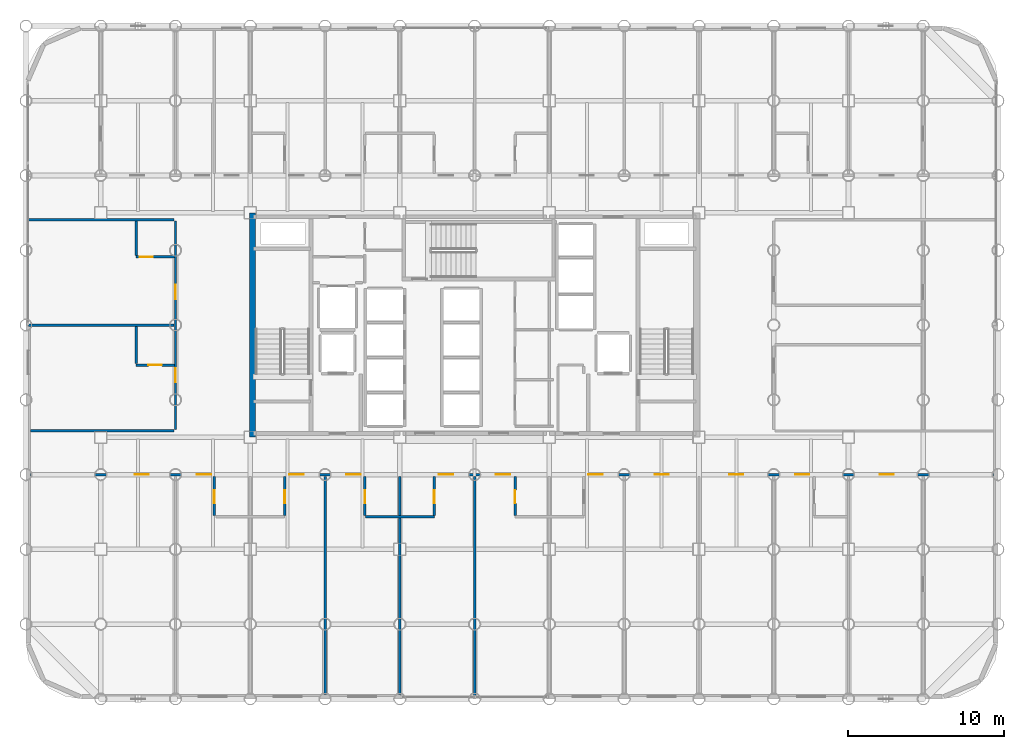
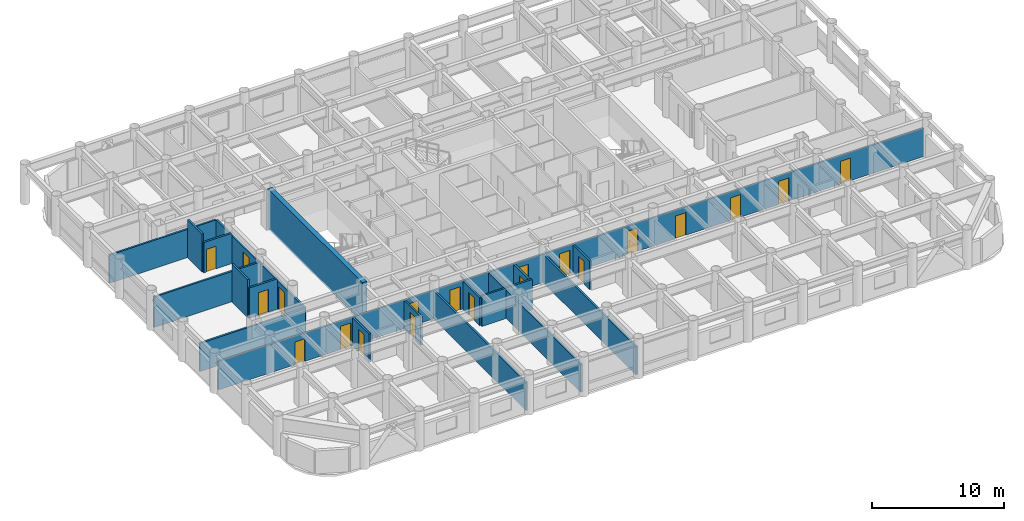
# One storey, part 15 of 21: 20 doors, 19 walls, 20 openings.
"""IFC4 building model written with IfcOpenShell, lengths in metres."""

from ifc_helpers import new_model, si_unit, direction, frame, frame_2d, origin, place, context, subcontext, project, spatial, rectangle, extrude, material, layer, layer_set, type_object, element, fill, save


model = new_model("IFC4")

# Units and contexts
model_context = context("Model", 3, precision=1e-05, world=origin(), true_north=direction((0.0, 1.0)))
body_context = subcontext(model_context, "Body", "Model", "MODEL_VIEW")
ifc_project = project(units=[si_unit("LENGTHUNIT", "METRE"), si_unit("AREAUNIT", "SQUARE_METRE"), si_unit("VOLUMEUNIT", "CUBIC_METRE"), si_unit("PLANEANGLEUNIT", "RADIAN"), si_unit("MASSUNIT", "GRAM", prefix="KILO")], contexts=[model_context])

# Site, building, storey
site_placement = place(None, origin())
site = spatial("IfcSite", under=ifc_project, at=site_placement, CompositionType="ELEMENT")
building_placement = place(site_placement, origin())
building = spatial("IfcBuilding", under=site, at=building_placement, Name="Kallvorn Hotel Tower", CompositionType="ELEMENT")
storey_placement = place(building_placement, frame((0.0, 0.0, 81.800048828125)))
storey = spatial("IfcBuildingStorey", under=building, at=storey_placement, Name="L19", CompositionType="ELEMENT", Elevation=81.800048828125)

# Walls
ifc_material_1 = material(Name="Concrete C50/60", Category="concrete")
ifc_layer_1 = layer(ifc_material_1, 0.39990234375)
ifc_layer_set_1 = layer_set([ifc_layer_1], Name="WL_CORE_400")
wall_type_1 = type_object("IfcWallType", Name="WL_CORE_400", PredefinedType="SHEAR", material=ifc_layer_set_1)
wall_1_placement = place(storey_placement, frame((-14.264892578125, -7.199951171875, -0.179931640625), z_axis=(0.0, 0.0, 1.0), x_axis=(0.0, 1.0, 0.0)))
element("IfcWall", 1, at=wall_1_placement, inside=storey, type_object=wall_type_1, Name="L19 Core West Shear Wall", PredefinedType="SHEAR", context=body_context, shape_type="SweptSolid", body=[
    extrude(rectangle(XDim=14.39990234375, YDim=0.39990234375, at=frame_2d((7.199951171875, 0.0))), origin(), (0.0, 0.0, 1.0), 3.699951171875),
])
ifc_material_2 = material(Name="Fire-rated double-layer acoustic gypsum drywall EI 60")
ifc_layer_2 = layer(ifc_material_2, 0.159912109375)
ifc_layer_set_2 = layer_set([ifc_layer_2], Name="WL_DEMISE_160")
wall_type_2 = type_object("IfcWallType", Name="WL_DEMISE_160", PredefinedType="PARTITIONING", material=ifc_layer_set_2)
wall_2_placement = place(storey_placement, frame((-7.010009765625, -12.320068359375, 0.0), z_axis=(0.0, 0.0, 1.0), x_axis=(1.0, 0.0, 0.0)))
element("IfcWall", 2, at=wall_2_placement, inside=storey, type_object=wall_type_2, Name="L19 Suite 1905 Superior Twin Room Partition", PredefinedType="PARTITIONING", context=body_context, shape_type="SweptSolid", body=[
    extrude(rectangle(XDim=4.419921875, YDim=0.159912109375, at=frame_2d((2.2099609375, 0.0))), origin(), (0.0, 0.0, 1.0), 2.820068359375),
])

# Wall, openings, doors
wall_3_placement = place(storey_placement, frame((-28.510009765625, -9.60009765625, 0.0), z_axis=(0.0, 0.0, 1.0), x_axis=(1.0, 0.0, 0.0)))
wall_3 = element("IfcWall", 3, at=wall_3_placement, inside=storey, type_object=wall_type_2, Name="L19 Suite 1903 Superior Twin Room Partition", PredefinedType="PARTITIONING", context=body_context, shape_type="SweptSolid", body=[
    extrude(rectangle(XDim=61.820068359375, YDim=0.159912109375, at=frame_2d((30.91015625, 0.0))), origin(), (0.0, 0.0, 1.0), 2.619873046875),
])
opening_1_placement = place(wall_3_placement, frame((6.679443359375, 0.0, 0.0)))
opening_1 = element("IfcOpeningElement", 4, at=opening_1_placement, cuts=wall_3, Name="Opening SVD1", PredefinedType="OPENING", context=body_context, shape_type="SweptSolid", body=[
    extrude(rectangle(XDim=0.89990234375, YDim=2.10009765625, at=frame_2d((0.449951171875, 1.050048828125))), frame((0.0, 0.094970703125, 0.0), z_axis=(0.0, -1.0, 0.0), x_axis=(1.0, 0.0, 0.0)), (0.0, 0.0, 1.0), 0.18994140625),
])
opening_2_placement = place(wall_3_placement, frame((54.5, 0.0, 0.0)))
opening_2 = element("IfcOpeningElement", 5, at=opening_2_placement, cuts=wall_3, Name="Opening SVD1", PredefinedType="OPENING", context=body_context, shape_type="SweptSolid", body=[
    extrude(rectangle(XDim=0.89990234375, YDim=2.10009765625, at=frame_2d((0.449951171875, 1.050048828125))), frame((0.0, 0.094970703125, 0.0), z_axis=(0.0, -1.0, 0.0), x_axis=(1.0, 0.0, 0.0)), (0.0, 0.0, 1.0), 0.18994140625),
])
opening_3_placement = place(wall_3_placement, frame((10.679931640625, 0.0, 0.0)))
opening_3 = element("IfcOpeningElement", 6, at=opening_3_placement, cuts=wall_3, Name="Opening GD1", PredefinedType="OPENING", context=body_context, shape_type="SweptSolid", body=[
    extrude(rectangle(XDim=0.919921875, YDim=2.14990234375, at=frame_2d((0.4599609375, 1.074951171875))), frame((0.0, 0.094970703125, 0.0), z_axis=(0.0, -1.0, 0.0), x_axis=(1.0, 0.0, 0.0)), (0.0, 0.0, 1.0), 0.18994140625),
])
opening_4_placement = place(wall_3_placement, frame((16.6201171875, 0.0, 0.0)))
opening_4 = element("IfcOpeningElement", 7, at=opening_4_placement, cuts=wall_3, Name="Opening GD1", PredefinedType="OPENING", context=body_context, shape_type="SweptSolid", body=[
    extrude(rectangle(XDim=0.919921875, YDim=2.14990234375, at=frame_2d((0.4599609375, 1.074951171875))), frame((0.0, 0.094970703125, 0.0), z_axis=(0.0, -1.0, 0.0), x_axis=(1.0, 0.0, 0.0)), (0.0, 0.0, 1.0), 0.18994140625),
])
opening_5_placement = place(wall_3_placement, frame((20.280029296875, 0.0, 0.0)))
opening_5 = element("IfcOpeningElement", 8, at=opening_5_placement, cuts=wall_3, Name="Opening GD1", PredefinedType="OPENING", context=body_context, shape_type="SweptSolid", body=[
    extrude(rectangle(XDim=0.919921875, YDim=2.14990234375, at=frame_2d((0.4599609375, 1.074951171875))), frame((0.0, 0.094970703125, 0.0), z_axis=(0.0, -1.0, 0.0), x_axis=(1.0, 0.0, 0.0)), (0.0, 0.0, 1.0), 0.18994140625),
])
opening_6_placement = place(wall_3_placement, frame((26.219970703125, 0.0, 0.0)))
opening_6 = element("IfcOpeningElement", 9, at=opening_6_placement, cuts=wall_3, Name="Opening GD1", PredefinedType="OPENING", context=body_context, shape_type="SweptSolid", body=[
    extrude(rectangle(XDim=0.919921875, YDim=2.14990234375, at=frame_2d((0.4599609375, 1.074951171875))), frame((0.0, 0.094970703125, 0.0), z_axis=(0.0, -1.0, 0.0), x_axis=(1.0, 0.0, 0.0)), (0.0, 0.0, 1.0), 0.18994140625),
])
opening_7_placement = place(wall_3_placement, frame((29.8798828125, 0.0, 0.0)))
opening_7 = element("IfcOpeningElement", 10, at=opening_7_placement, cuts=wall_3, Name="Opening GD1", PredefinedType="OPENING", context=body_context, shape_type="SweptSolid", body=[
    extrude(rectangle(XDim=0.919921875, YDim=2.14990234375, at=frame_2d((0.4599609375, 1.074951171875))), frame((0.0, 0.094970703125, 0.0), z_axis=(0.0, -1.0, 0.0), x_axis=(1.0, 0.0, 0.0)), (0.0, 0.0, 1.0), 0.18994140625),
])
opening_8_placement = place(wall_3_placement, frame((35.820068359375, 0.0, 0.0)))
opening_8 = element("IfcOpeningElement", 11, at=opening_8_placement, cuts=wall_3, Name="Opening GD1", PredefinedType="OPENING", context=body_context, shape_type="SweptSolid", body=[
    extrude(rectangle(XDim=0.919921875, YDim=2.14990234375, at=frame_2d((0.4599609375, 1.074951171875))), frame((0.0, 0.094970703125, 0.0), z_axis=(0.0, -1.0, 0.0), x_axis=(1.0, 0.0, 0.0)), (0.0, 0.0, 1.0), 0.18994140625),
])
opening_9_placement = place(wall_3_placement, frame((40.06005859375, 0.0, 0.0)))
opening_9 = element("IfcOpeningElement", 12, at=opening_9_placement, cuts=wall_3, Name="Opening SVD1", PredefinedType="OPENING", context=body_context, shape_type="SweptSolid", body=[
    extrude(rectangle(XDim=0.89990234375, YDim=2.10009765625, at=frame_2d((0.449951171875, 1.050048828125))), frame((0.0, 0.094970703125, 0.0), z_axis=(0.0, -1.0, 0.0), x_axis=(1.0, 0.0, 0.0)), (0.0, 0.0, 1.0), 0.18994140625),
])
opening_10_placement = place(wall_3_placement, frame((44.860107421875, 0.0, 0.0)))
opening_10 = element("IfcOpeningElement", 13, at=opening_10_placement, cuts=wall_3, Name="Opening SVD1", PredefinedType="OPENING", context=body_context, shape_type="SweptSolid", body=[
    extrude(rectangle(XDim=0.89990234375, YDim=2.10009765625, at=frame_2d((0.449951171875, 1.050048828125))), frame((0.0, 0.094970703125, 0.0), z_axis=(0.0, -1.0, 0.0), x_axis=(1.0, 0.0, 0.0)), (0.0, 0.0, 1.0), 0.18994140625),
])
opening_11_placement = place(wall_3_placement, frame((49.080078125, 0.0, 0.0)))
opening_11 = element("IfcOpeningElement", 14, at=opening_11_placement, cuts=wall_3, Name="Opening GD1", PredefinedType="OPENING", context=body_context, shape_type="SweptSolid", body=[
    extrude(rectangle(XDim=0.919921875, YDim=2.14990234375, at=frame_2d((0.4599609375, 1.074951171875))), frame((0.0, 0.094970703125, 0.0), z_axis=(0.0, -1.0, 0.0), x_axis=(1.0, 0.0, 0.0)), (0.0, 0.0, 1.0), 0.18994140625),
])
ifc_material_3 = material(Name="Solid-core walnut veneer fire-rated timber door leaf", Category="wood")
door_type_1 = type_object("IfcDoorType", Name="DR_GUEST_920x2150", OperationType="NOTDEFINED", PredefinedType="DOOR", material=ifc_material_3)
door_1_placement = place(opening_3_placement, origin())
door_1 = element("IfcDoor", 15, at=door_1_placement, inside=storey, type_object=door_type_1, Name="L19 Suite 1903 Superior Twin Room Door", OperationType="SINGLE_SWING_RIGHT", OverallHeight=2.14990234375, OverallWidth=0.919921875, PredefinedType="DOOR", context=body_context, shape_type="SweptSolid", body=[
    extrude(rectangle(XDim=0.919921875, YDim=2.14990234375, at=frame_2d((0.4599609375, 1.074951171875))), frame((0.0, 0.02490234375, 0.0), z_axis=(0.0, -1.0, 0.0), x_axis=(1.0, 0.0, 0.0)), (0.0, 0.0, 1.0), 0.050048828125),
])
fill(opening_3, door_1)
door_2_placement = place(opening_4_placement, origin())
door_2 = element("IfcDoor", 16, at=door_2_placement, inside=storey, type_object=door_type_1, Name="L19 Suite 1904 Superior Twin Room Door", OperationType="SINGLE_SWING_RIGHT", OverallHeight=2.14990234375, OverallWidth=0.919921875, PredefinedType="DOOR", context=body_context, shape_type="SweptSolid", body=[
    extrude(rectangle(XDim=0.919921875, YDim=2.14990234375, at=frame_2d((0.4599609375, 1.074951171875))), frame((0.0, 0.02490234375, 0.0), z_axis=(0.0, -1.0, 0.0), x_axis=(1.0, 0.0, 0.0)), (0.0, 0.0, 1.0), 0.050048828125),
])
fill(opening_4, door_2)
door_3_placement = place(opening_5_placement, origin())
door_3 = element("IfcDoor", 17, at=door_3_placement, inside=storey, type_object=door_type_1, Name="L19 Suite 1905 Superior Twin Room Door", OperationType="SINGLE_SWING_RIGHT", OverallHeight=2.14990234375, OverallWidth=0.919921875, PredefinedType="DOOR", context=body_context, shape_type="SweptSolid", body=[
    extrude(rectangle(XDim=0.919921875, YDim=2.14990234375, at=frame_2d((0.4599609375, 1.074951171875))), frame((0.0, 0.02490234375, 0.0), z_axis=(0.0, -1.0, 0.0), x_axis=(1.0, 0.0, 0.0)), (0.0, 0.0, 1.0), 0.050048828125),
])
fill(opening_5, door_3)
door_4_placement = place(opening_6_placement, origin())
door_4 = element("IfcDoor", 18, at=door_4_placement, inside=storey, type_object=door_type_1, Name="L19 Suite 1906 Superior Twin Room Door", OperationType="SINGLE_SWING_LEFT", OverallHeight=2.14990234375, OverallWidth=0.919921875, PredefinedType="DOOR", context=body_context, shape_type="SweptSolid", body=[
    extrude(rectangle(XDim=0.919921875, YDim=2.14990234375, at=frame_2d((0.4599609375, 1.074951171875))), frame((0.0, 0.02490234375, 0.0), z_axis=(0.0, -1.0, 0.0), x_axis=(1.0, 0.0, 0.0)), (0.0, 0.0, 1.0), 0.050048828125),
])
fill(opening_6, door_4)
door_5_placement = place(opening_7_placement, origin())
door_5 = element("IfcDoor", 19, at=door_5_placement, inside=storey, type_object=door_type_1, Name="L19 Suite 1907 Superior Twin Room Door", OperationType="SINGLE_SWING_LEFT", OverallHeight=2.14990234375, OverallWidth=0.919921875, PredefinedType="DOOR", context=body_context, shape_type="SweptSolid", body=[
    extrude(rectangle(XDim=0.919921875, YDim=2.14990234375, at=frame_2d((0.4599609375, 1.074951171875))), frame((0.0, 0.02490234375, 0.0), z_axis=(0.0, -1.0, 0.0), x_axis=(1.0, 0.0, 0.0)), (0.0, 0.0, 1.0), 0.050048828125),
])
fill(opening_7, door_5)
door_6_placement = place(opening_8_placement, origin())
door_6 = element("IfcDoor", 20, at=door_6_placement, inside=storey, type_object=door_type_1, Name="L19 Suite 1908 Superior Twin Room Door", OperationType="SINGLE_SWING_LEFT", OverallHeight=2.14990234375, OverallWidth=0.919921875, PredefinedType="DOOR", context=body_context, shape_type="SweptSolid", body=[
    extrude(rectangle(XDim=0.919921875, YDim=2.14990234375, at=frame_2d((0.4599609375, 1.074951171875))), frame((0.0, 0.02490234375, 0.0), z_axis=(0.0, -1.0, 0.0), x_axis=(1.0, 0.0, 0.0)), (0.0, 0.0, 1.0), 0.050048828125),
])
fill(opening_8, door_6)
door_7_placement = place(opening_11_placement, origin())
door_7 = element("IfcDoor", 21, at=door_7_placement, inside=storey, type_object=door_type_1, Name="L19 Suite 1909 Deluxe King Room Door", OperationType="SINGLE_SWING_LEFT", OverallHeight=2.14990234375, OverallWidth=0.919921875, PredefinedType="DOOR", context=body_context, shape_type="SweptSolid", body=[
    extrude(rectangle(XDim=0.919921875, YDim=2.14990234375, at=frame_2d((0.4599609375, 1.074951171875))), frame((0.0, 0.02490234375, 0.0), z_axis=(0.0, -1.0, 0.0), x_axis=(1.0, 0.0, 0.0)), (0.0, 0.0, 1.0), 0.050048828125),
])
fill(opening_11, door_7)
ifc_material_4 = material(Name="Galvanised painted steel fire-rated door assembly", Category="steel")
door_type_2 = type_object("IfcDoorType", Name="DR_SERV_900x2100", OperationType="NOTDEFINED", PredefinedType="DOOR", material=ifc_material_4)
door_8_placement = place(opening_1_placement, origin())
door_8 = element("IfcDoor", 22, at=door_8_placement, inside=storey, type_object=door_type_2, Name="L19 L19 South-West Botanical Bar Door", OperationType="SINGLE_SWING_LEFT", OverallHeight=2.10009765625, OverallWidth=0.89990234375, PredefinedType="DOOR", context=body_context, shape_type="SweptSolid", body=[
    extrude(rectangle(XDim=0.89990234375, YDim=2.10009765625, at=frame_2d((0.449951171875, 1.050048828125))), frame((0.0, 0.02490234375, 0.0), z_axis=(0.0, -1.0, 0.0), x_axis=(1.0, 0.0, 0.0)), (0.0, 0.0, 1.0), 0.050048828125),
])
fill(opening_1, door_8)
door_9_placement = place(opening_2_placement, origin())
door_9 = element("IfcDoor", 23, at=door_9_placement, inside=storey, type_object=door_type_2, Name="L19 L19 South-East Sommelier Bar A Door", OperationType="SINGLE_SWING_RIGHT", OverallHeight=2.10009765625, OverallWidth=0.89990234375, PredefinedType="DOOR", context=body_context, shape_type="SweptSolid", body=[
    extrude(rectangle(XDim=0.89990234375, YDim=2.10009765625, at=frame_2d((0.449951171875, 1.050048828125))), frame((0.0, 0.02490234375, 0.0), z_axis=(0.0, -1.0, 0.0), x_axis=(1.0, 0.0, 0.0)), (0.0, 0.0, 1.0), 0.050048828125),
])
fill(opening_2, door_9)
door_10_placement = place(opening_9_placement, origin())
door_10 = element("IfcDoor", 24, at=door_10_placement, inside=storey, type_object=door_type_2, Name="L19 L19 Thermal Hydrotherapy Treatment Suite 7-1 Door", OperationType="SINGLE_SWING_RIGHT", OverallHeight=2.10009765625, OverallWidth=0.89990234375, PredefinedType="DOOR", context=body_context, shape_type="SweptSolid", body=[
    extrude(rectangle(XDim=0.89990234375, YDim=2.10009765625, at=frame_2d((0.449951171875, 1.050048828125))), frame((0.0, 0.02490234375, 0.0), z_axis=(0.0, -1.0, 0.0), x_axis=(1.0, 0.0, 0.0)), (0.0, 0.0, 1.0), 0.050048828125),
])
fill(opening_9, door_10)
door_11_placement = place(opening_10_placement, origin())
door_11 = element("IfcDoor", 25, at=door_11_placement, inside=storey, type_object=door_type_2, Name="L19 L19 Thermal Hydrotherapy Treatment Suite 7-2 Door", OperationType="SINGLE_SWING_LEFT", OverallHeight=2.10009765625, OverallWidth=0.89990234375, PredefinedType="DOOR", context=body_context, shape_type="SweptSolid", body=[
    extrude(rectangle(XDim=0.89990234375, YDim=2.10009765625, at=frame_2d((0.449951171875, 1.050048828125))), frame((0.0, 0.02490234375, 0.0), z_axis=(0.0, -1.0, 0.0), x_axis=(1.0, 0.0, 0.0)), (0.0, 0.0, 1.0), 0.050048828125),
])
fill(opening_10, door_11)

# Wall
wall_4_placement = place(storey_placement, frame((-28.510009765625, -6.800048828125, 0.0), z_axis=(0.0, 0.0, 1.0), x_axis=(1.0, 0.0, 0.0)))
element("IfcWall", 26, at=wall_4_placement, inside=storey, type_object=wall_type_2, Name="L19 Suite 1901 W Loggia King Room Partition", PredefinedType="PARTITIONING", context=body_context, shape_type="SweptSolid", body=[
    extrude(rectangle(XDim=9.22998046875, YDim=0.159912109375, at=frame_2d((4.614990234375, 0.0))), origin(), (0.0, 0.0, 1.0), 2.619873046875),
])

# Wall, opening, door
wall_5_placement = place(storey_placement, frame((-21.72998046875, -2.566650390625, 0.0), z_axis=(0.0, 0.0, 1.0), x_axis=(1.0, 0.0, 0.0)))
wall_5 = element("IfcWall", 27, at=wall_5_placement, inside=storey, type_object=wall_type_2, Name="L19 Suite 1901 W Loggia King Room Partition", PredefinedType="PARTITIONING", context=body_context, shape_type="SweptSolid", body=[
    extrude(rectangle(XDim=2.449951171875, YDim=0.159912109375, at=frame_2d((1.22509765625, 0.0))), origin(), (0.0, 0.0, 1.0), 2.820068359375),
])
opening_12_placement = place(wall_5_placement, frame((0.794921875, 0.0, 0.0)))
opening_12 = element("IfcOpeningElement", 28, at=opening_12_placement, cuts=wall_5, Name="Opening BD-I", PredefinedType="OPENING", context=body_context, shape_type="SweptSolid", body=[
    extrude(rectangle(XDim=0.860107421875, YDim=2.10009765625, at=frame_2d((0.43017578125, 1.050048828125))), frame((0.0, 0.094970703125, 0.0), z_axis=(0.0, -1.0, 0.0), x_axis=(1.0, 0.0, 0.0)), (0.0, 0.0, 1.0), 0.18994140625),
])
ifc_material_5 = material(Name="Solid-core walnut veneer fire-rated timber door leaf", Category="wood")
door_type_3 = type_object("IfcDoorType", Name="DR_BATH_860x2100", OperationType="NOTDEFINED", PredefinedType="DOOR", material=ifc_material_5)
door_12_placement = place(opening_12_placement, origin())
door_12 = element("IfcDoor", 29, at=door_12_placement, inside=storey, type_object=door_type_3, Name="L19 Suite 1901 En-Suite Bathroom Door", OperationType="SINGLE_SWING_LEFT", OverallHeight=2.10009765625, OverallWidth=0.860107421875, PredefinedType="DOOR", context=body_context, shape_type="SweptSolid", body=[
    extrude(rectangle(XDim=0.860107421875, YDim=2.10009765625, at=frame_2d((0.43017578125, 1.050048828125))), frame((0.0, 0.02490234375, 0.0), z_axis=(0.0, -1.0, 0.0), x_axis=(1.0, 0.0, 0.0)), (0.0, 0.0, 1.0), 0.050048828125),
])
fill(opening_12, door_12)

# Wall
wall_6_placement = place(storey_placement, frame((-28.6298828125, 0.0, 0.0), z_axis=(0.0, 0.0, 1.0), x_axis=(1.0, 0.0, 0.0)))
element("IfcWall", 30, at=wall_6_placement, inside=storey, type_object=wall_type_2, Name="L19 Suite 1902 W Andean Twin Room Partition", PredefinedType="PARTITIONING", context=body_context, shape_type="SweptSolid", body=[
    extrude(rectangle(XDim=9.349853515625, YDim=0.159912109375, at=frame_2d((4.6748046875, 0.0))), origin(), (0.0, 0.0, 1.0), 2.820068359375),
])

# Wall, opening, door
wall_7_placement = place(storey_placement, frame((-21.72998046875, 4.373291015625, 0.0), z_axis=(0.0, 0.0, 1.0), x_axis=(1.0, 0.0, 0.0)))
wall_7 = element("IfcWall", 31, at=wall_7_placement, inside=storey, type_object=wall_type_2, Name="L19 Suite 1902 W Andean Twin Room Partition", PredefinedType="PARTITIONING", context=body_context, shape_type="SweptSolid", body=[
    extrude(rectangle(XDim=2.449951171875, YDim=0.159912109375, at=frame_2d((1.22509765625, 0.0))), origin(), (0.0, 0.0, 1.0), 2.820068359375),
])
opening_13_placement = place(wall_7_placement, frame((0.219970703125, 0.0, 0.0)))
opening_13 = element("IfcOpeningElement", 32, at=opening_13_placement, cuts=wall_7, Name="Opening BD-I", PredefinedType="OPENING", context=body_context, shape_type="SweptSolid", body=[
    extrude(rectangle(XDim=0.860107421875, YDim=2.10009765625, at=frame_2d((0.43017578125, 1.050048828125))), frame((0.0, 0.094970703125, 0.0), z_axis=(0.0, -1.0, 0.0), x_axis=(1.0, 0.0, 0.0)), (0.0, 0.0, 1.0), 0.18994140625),
])
door_13_placement = place(opening_13_placement, origin())
door_13 = element("IfcDoor", 33, at=door_13_placement, inside=storey, type_object=door_type_3, Name="L19 Suite 1902 En-Suite Bathroom Door", OperationType="SINGLE_SWING_RIGHT", OverallHeight=2.10009765625, OverallWidth=0.860107421875, PredefinedType="DOOR", context=body_context, shape_type="SweptSolid", body=[
    extrude(rectangle(XDim=0.860107421875, YDim=2.10009765625, at=frame_2d((0.43017578125, 1.050048828125))), frame((0.0, 0.02490234375, 0.0), z_axis=(0.0, -1.0, 0.0), x_axis=(1.0, 0.0, 0.0)), (0.0, 0.0, 1.0), 0.050048828125),
])
fill(opening_13, door_13)

# Walls
wall_8_placement = place(storey_placement, frame((-28.6298828125, 6.75, 0.0), z_axis=(0.0, 0.0, 1.0), x_axis=(1.0, 0.0, 0.0)))
element("IfcWall", 34, at=wall_8_placement, inside=storey, type_object=wall_type_2, Name="L19 Suite 1902 W Andean Twin Room Partition", PredefinedType="PARTITIONING", context=body_context, shape_type="SweptSolid", body=[
    extrude(rectangle(XDim=9.349853515625, YDim=0.159912109375, at=frame_2d((4.6748046875, 0.0))), origin(), (0.0, 0.0, 1.0), 2.619873046875),
])
wall_9_placement = place(storey_placement, frame((-21.72998046875, -2.481689453125, 0.0), z_axis=(0.0, 0.0, 1.0), x_axis=(0.0, 1.0, 0.0)))
element("IfcWall", 35, at=wall_9_placement, inside=storey, type_object=wall_type_2, Name="L19 Suite 1901 W Loggia King Room Partition", PredefinedType="PARTITIONING", context=body_context, shape_type="SweptSolid", body=[
    extrude(rectangle(XDim=2.381591796875, YDim=0.159912109375, at=frame_2d((1.19091796875, 0.0))), origin(), (0.0, 0.0, 1.0), 3.52001953125),
])
wall_10_placement = place(storey_placement, frame((-21.72998046875, 4.458251953125, 0.0), z_axis=(0.0, 0.0, 1.0), x_axis=(0.0, 1.0, 0.0)))
element("IfcWall", 36, at=wall_10_placement, inside=storey, type_object=wall_type_2, Name="L19 Suite 1902 W Andean Twin Room Partition", PredefinedType="PARTITIONING", context=body_context, shape_type="SweptSolid", body=[
    extrude(rectangle(XDim=2.206787109375, YDim=0.159912109375, at=frame_2d((1.103515625, 0.0))), origin(), (0.0, 0.0, 1.0), 3.52001953125),
])

# Wall, openings, doors
wall_11_placement = place(storey_placement, frame((-19.199951171875, -6.715087890625, 0.0), z_axis=(0.0, 0.0, 1.0), x_axis=(0.0, 1.0, 0.0)))
wall_11 = element("IfcWall", 37, at=wall_11_placement, inside=storey, type_object=wall_type_2, Name="L19 Suite 1901 W Loggia King Room Partition", PredefinedType="PARTITIONING", context=body_context, shape_type="SweptSolid", body=[
    extrude(rectangle(XDim=13.380126953125, YDim=0.159912109375, at=frame_2d((6.68994140625, 0.0))), origin(), (0.0, 0.0, 1.0), 2.619873046875),
])
opening_14_placement = place(wall_11_placement, frame((3.034912109375, 0.0, 0.0)))
opening_14 = element("IfcOpeningElement", 38, at=opening_14_placement, cuts=wall_11, Name="Opening GD1", PredefinedType="OPENING", context=body_context, shape_type="SweptSolid", body=[
    extrude(rectangle(XDim=0.919921875, YDim=2.14990234375, at=frame_2d((0.4599609375, 1.074951171875))), frame((0.0, 0.094970703125, 0.0), z_axis=(0.0, -1.0, 0.0), x_axis=(1.0, 0.0, 0.0)), (0.0, 0.0, 1.0), 0.18994140625),
])
opening_15_placement = place(wall_11_placement, frame((8.385009765625, 0.0, 0.0)))
opening_15 = element("IfcOpeningElement", 39, at=opening_15_placement, cuts=wall_11, Name="Opening GD1", PredefinedType="OPENING", context=body_context, shape_type="SweptSolid", body=[
    extrude(rectangle(XDim=0.919921875, YDim=2.14990234375, at=frame_2d((0.4599609375, 1.074951171875))), frame((0.0, 0.094970703125, 0.0), z_axis=(0.0, -1.0, 0.0), x_axis=(1.0, 0.0, 0.0)), (0.0, 0.0, 1.0), 0.18994140625),
])
door_14_placement = place(opening_14_placement, origin())
door_14 = element("IfcDoor", 40, at=door_14_placement, inside=storey, type_object=door_type_1, Name="L19 Suite 1901 W Loggia King Room Door", OperationType="SINGLE_SWING_LEFT", OverallHeight=2.14990234375, OverallWidth=0.919921875, PredefinedType="DOOR", context=body_context, shape_type="SweptSolid", body=[
    extrude(rectangle(XDim=0.919921875, YDim=2.14990234375, at=frame_2d((0.4599609375, 1.074951171875))), frame((0.0, 0.02490234375, 0.0), z_axis=(0.0, -1.0, 0.0), x_axis=(1.0, 0.0, 0.0)), (0.0, 0.0, 1.0), 0.050048828125),
])
fill(opening_14, door_14)
door_15_placement = place(opening_15_placement, origin())
door_15 = element("IfcDoor", 41, at=door_15_placement, inside=storey, type_object=door_type_1, Name="L19 Suite 1902 W Andean Twin Room Door", OperationType="SINGLE_SWING_LEFT", OverallHeight=2.14990234375, OverallWidth=0.919921875, PredefinedType="DOOR", context=body_context, shape_type="SweptSolid", body=[
    extrude(rectangle(XDim=0.919921875, YDim=2.14990234375, at=frame_2d((0.4599609375, 1.074951171875))), frame((0.0, 0.02490234375, 0.0), z_axis=(0.0, -1.0, 0.0), x_axis=(1.0, 0.0, 0.0)), (0.0, 0.0, 1.0), 0.050048828125),
])
fill(opening_15, door_15)

# Wall, opening, door
wall_12_placement = place(storey_placement, frame((-16.705078125, -12.235107421875, 0.0), z_axis=(0.0, 0.0, 1.0), x_axis=(0.0, 1.0, 0.0)))
wall_12 = element("IfcWall", 42, at=wall_12_placement, inside=storey, type_object=wall_type_2, Name="L19 Suite 1903 Superior Twin Room Partition", PredefinedType="PARTITIONING", context=body_context, shape_type="SweptSolid", body=[
    extrude(rectangle(XDim=2.51513671875, YDim=0.159912109375, at=frame_2d((1.257568359375, 0.0))), origin(), (0.0, 0.0, 1.0), 2.619873046875),
])
opening_16_placement = place(wall_12_placement, frame((0.784912109375, 0.0, 0.0)))
opening_16 = element("IfcOpeningElement", 43, at=opening_16_placement, cuts=wall_12, Name="Opening BD-I", PredefinedType="OPENING", context=body_context, shape_type="SweptSolid", body=[
    extrude(rectangle(XDim=0.860107421875, YDim=2.10009765625, at=frame_2d((0.43017578125, 1.050048828125))), frame((0.0, 0.094970703125, 0.0), z_axis=(0.0, -1.0, 0.0), x_axis=(1.0, 0.0, 0.0)), (0.0, 0.0, 1.0), 0.18994140625),
])
door_16_placement = place(opening_16_placement, origin())
door_16 = element("IfcDoor", 44, at=door_16_placement, inside=storey, type_object=door_type_3, Name="L19 Suite 1903 En-Suite Bathroom Door", OperationType="SINGLE_SWING_LEFT", OverallHeight=2.10009765625, OverallWidth=0.860107421875, PredefinedType="DOOR", context=body_context, shape_type="SweptSolid", body=[
    extrude(rectangle(XDim=0.860107421875, YDim=2.10009765625, at=frame_2d((0.43017578125, 1.050048828125))), frame((0.0, 0.02490234375, 0.0), z_axis=(0.0, -1.0, 0.0), x_axis=(1.0, 0.0, 0.0)), (0.0, 0.0, 1.0), 0.050048828125),
])
fill(opening_16, door_16)

wall_13_placement = place(storey_placement, frame((-12.18994140625, -12.235107421875, 0.0), z_axis=(0.0, 0.0, 1.0), x_axis=(0.0, 1.0, 0.0)))
wall_13 = element("IfcWall", 45, at=wall_13_placement, inside=storey, type_object=wall_type_2, Name="L19 Suite 1904 Superior Twin Room Partition", PredefinedType="PARTITIONING", context=body_context, shape_type="SweptSolid", body=[
    extrude(rectangle(XDim=2.51513671875, YDim=0.159912109375, at=frame_2d((1.257568359375, 0.0))), origin(), (0.0, 0.0, 1.0), 2.619873046875),
])
opening_17_placement = place(wall_13_placement, frame((0.784912109375, 0.0, 0.0)))
opening_17 = element("IfcOpeningElement", 46, at=opening_17_placement, cuts=wall_13, Name="Opening BD-I", PredefinedType="OPENING", context=body_context, shape_type="SweptSolid", body=[
    extrude(rectangle(XDim=0.860107421875, YDim=2.10009765625, at=frame_2d((0.43017578125, 1.050048828125))), frame((0.0, 0.094970703125, 0.0), z_axis=(0.0, -1.0, 0.0), x_axis=(1.0, 0.0, 0.0)), (0.0, 0.0, 1.0), 0.18994140625),
])
door_17_placement = place(opening_17_placement, origin())
door_17 = element("IfcDoor", 47, at=door_17_placement, inside=storey, type_object=door_type_3, Name="L19 Suite 1904 En-Suite Bathroom Door", OperationType="SINGLE_SWING_RIGHT", OverallHeight=2.10009765625, OverallWidth=0.860107421875, PredefinedType="DOOR", context=body_context, shape_type="SweptSolid", body=[
    extrude(rectangle(XDim=0.860107421875, YDim=2.10009765625, at=frame_2d((0.43017578125, 1.050048828125))), frame((0.0, 0.02490234375, 0.0), z_axis=(0.0, -1.0, 0.0), x_axis=(1.0, 0.0, 0.0)), (0.0, 0.0, 1.0), 0.050048828125),
])
fill(opening_17, door_17)

# Wall
wall_14_placement = place(storey_placement, frame((-9.60009765625, -23.7099609375, 0.0), z_axis=(0.0, 0.0, 1.0), x_axis=(0.0, 1.0, 0.0)))
element("IfcWall", 48, at=wall_14_placement, inside=storey, type_object=wall_type_2, Name="L19 Suite 1904 Superior Twin Room Partition", PredefinedType="PARTITIONING", context=body_context, shape_type="SweptSolid", body=[
    extrude(rectangle(XDim=13.989990234375, YDim=0.159912109375, at=frame_2d((6.9951171875, 0.0))), origin(), (0.0, 0.0, 1.0), 2.619873046875),
])

# Wall, opening, door
wall_15_placement = place(storey_placement, frame((-7.0400390625, -12.235107421875, 0.0), z_axis=(0.0, 0.0, 1.0), x_axis=(0.0, 1.0, 0.0)))
wall_15 = element("IfcWall", 49, at=wall_15_placement, inside=storey, type_object=wall_type_2, Name="L19 Suite 1905 Superior Twin Room Partition", PredefinedType="PARTITIONING", context=body_context, shape_type="SweptSolid", body=[
    extrude(rectangle(XDim=2.51513671875, YDim=0.159912109375, at=frame_2d((1.257568359375, 0.0))), origin(), (0.0, 0.0, 1.0), 2.619873046875),
])
opening_18_placement = place(wall_15_placement, frame((0.784912109375, 0.0, 0.0)))
opening_18 = element("IfcOpeningElement", 50, at=opening_18_placement, cuts=wall_15, Name="Opening BD-I", PredefinedType="OPENING", context=body_context, shape_type="SweptSolid", body=[
    extrude(rectangle(XDim=0.860107421875, YDim=2.10009765625, at=frame_2d((0.43017578125, 1.050048828125))), frame((0.0, 0.094970703125, 0.0), z_axis=(0.0, -1.0, 0.0), x_axis=(1.0, 0.0, 0.0)), (0.0, 0.0, 1.0), 0.18994140625),
])
door_18_placement = place(opening_18_placement, origin())
door_18 = element("IfcDoor", 51, at=door_18_placement, inside=storey, type_object=door_type_3, Name="L19 Suite 1905 En-Suite Bathroom Door", OperationType="SINGLE_SWING_RIGHT", OverallHeight=2.10009765625, OverallWidth=0.860107421875, PredefinedType="DOOR", context=body_context, shape_type="SweptSolid", body=[
    extrude(rectangle(XDim=0.860107421875, YDim=2.10009765625, at=frame_2d((0.43017578125, 1.050048828125))), frame((0.0, 0.02490234375, 0.0), z_axis=(0.0, -1.0, 0.0), x_axis=(1.0, 0.0, 0.0)), (0.0, 0.0, 1.0), 0.050048828125),
])
fill(opening_18, door_18)

# Wall
wall_16_placement = place(storey_placement, frame((-4.800048828125, -23.7099609375, 0.0), z_axis=(0.0, 0.0, 1.0), x_axis=(0.0, 1.0, 0.0)))
element("IfcWall", 52, at=wall_16_placement, inside=storey, type_object=wall_type_2, Name="L19 Suite 1905 Superior Twin Room Partition", PredefinedType="PARTITIONING", context=body_context, shape_type="SweptSolid", body=[
    extrude(rectangle(XDim=13.989990234375, YDim=0.159912109375, at=frame_2d((6.9951171875, 0.0))), origin(), (0.0, 0.0, 1.0), 2.619873046875),
])

# Wall, opening, door
wall_17_placement = place(storey_placement, frame((-2.590087890625, -12.235107421875, 0.0), z_axis=(0.0, 0.0, 1.0), x_axis=(0.0, 1.0, 0.0)))
wall_17 = element("IfcWall", 53, at=wall_17_placement, inside=storey, type_object=wall_type_2, Name="L19 Suite 1906 Superior Twin Room Partition", PredefinedType="PARTITIONING", context=body_context, shape_type="SweptSolid", body=[
    extrude(rectangle(XDim=2.51513671875, YDim=0.159912109375, at=frame_2d((1.257568359375, 0.0))), origin(), (0.0, 0.0, 1.0), 2.619873046875),
])
opening_19_placement = place(wall_17_placement, frame((0.784912109375, 0.0, 0.0)))
opening_19 = element("IfcOpeningElement", 54, at=opening_19_placement, cuts=wall_17, Name="Opening BD-I", PredefinedType="OPENING", context=body_context, shape_type="SweptSolid", body=[
    extrude(rectangle(XDim=0.860107421875, YDim=2.10009765625, at=frame_2d((0.43017578125, 1.050048828125))), frame((0.0, 0.094970703125, 0.0), z_axis=(0.0, -1.0, 0.0), x_axis=(1.0, 0.0, 0.0)), (0.0, 0.0, 1.0), 0.18994140625),
])
door_19_placement = place(opening_19_placement, origin())
door_19 = element("IfcDoor", 55, at=door_19_placement, inside=storey, type_object=door_type_3, Name="L19 Suite 1906 En-Suite Bathroom Door", OperationType="SINGLE_SWING_LEFT", OverallHeight=2.10009765625, OverallWidth=0.860107421875, PredefinedType="DOOR", context=body_context, shape_type="SweptSolid", body=[
    extrude(rectangle(XDim=0.860107421875, YDim=2.10009765625, at=frame_2d((0.43017578125, 1.050048828125))), frame((0.0, 0.02490234375, 0.0), z_axis=(0.0, -1.0, 0.0), x_axis=(1.0, 0.0, 0.0)), (0.0, 0.0, 1.0), 0.050048828125),
])
fill(opening_19, door_19)

# Wall
wall_18_placement = place(storey_placement, frame((0.0, -23.794921875, 0.0), z_axis=(0.0, 0.0, 1.0), x_axis=(0.0, 1.0, 0.0)))
element("IfcWall", 56, at=wall_18_placement, inside=storey, type_object=wall_type_2, Name="L19 Suite 1906 Superior Twin Room Partition", PredefinedType="PARTITIONING", context=body_context, shape_type="SweptSolid", body=[
    extrude(rectangle(XDim=14.074951171875, YDim=0.159912109375, at=frame_2d((7.03759765625, 0.0))), origin(), (0.0, 0.0, 1.0), 2.619873046875),
])

# Wall, opening, door
wall_19_placement = place(storey_placement, frame((2.59423828125, -12.235107421875, 0.0), z_axis=(0.0, 0.0, 1.0), x_axis=(0.0, 1.0, 0.0)))
wall_19 = element("IfcWall", 57, at=wall_19_placement, inside=storey, type_object=wall_type_2, Name="L19 Suite 1907 Superior Twin Room Partition", PredefinedType="PARTITIONING", context=body_context, shape_type="SweptSolid", body=[
    extrude(rectangle(XDim=2.51513671875, YDim=0.159912109375, at=frame_2d((1.257568359375, 0.0))), origin(), (0.0, 0.0, 1.0), 2.619873046875),
])
opening_20_placement = place(wall_19_placement, frame((0.784912109375, 0.0, 0.0)))
opening_20 = element("IfcOpeningElement", 58, at=opening_20_placement, cuts=wall_19, Name="Opening BD-I", PredefinedType="OPENING", context=body_context, shape_type="SweptSolid", body=[
    extrude(rectangle(XDim=0.860107421875, YDim=2.10009765625, at=frame_2d((0.43017578125, 1.050048828125))), frame((0.0, 0.094970703125, 0.0), z_axis=(0.0, -1.0, 0.0), x_axis=(1.0, 0.0, 0.0)), (0.0, 0.0, 1.0), 0.18994140625),
])
door_20_placement = place(opening_20_placement, origin())
door_20 = element("IfcDoor", 59, at=door_20_placement, inside=storey, type_object=door_type_3, Name="L19 Suite 1907 En-Suite Bathroom Door", OperationType="SINGLE_SWING_LEFT", OverallHeight=2.10009765625, OverallWidth=0.860107421875, PredefinedType="DOOR", context=body_context, shape_type="SweptSolid", body=[
    extrude(rectangle(XDim=0.860107421875, YDim=2.10009765625, at=frame_2d((0.43017578125, 1.050048828125))), frame((0.0, 0.02490234375, 0.0), z_axis=(0.0, -1.0, 0.0), x_axis=(1.0, 0.0, 0.0)), (0.0, 0.0, 1.0), 0.050048828125),
])
fill(opening_20, door_20)

save(model, "model.ifc")
